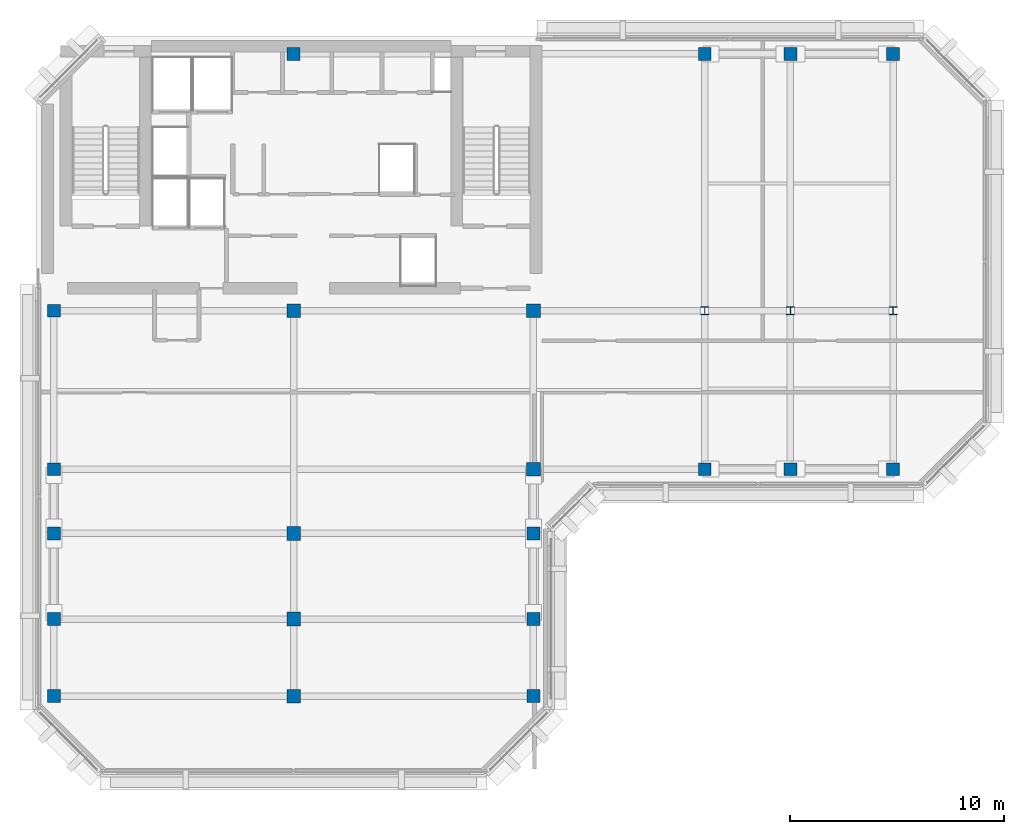
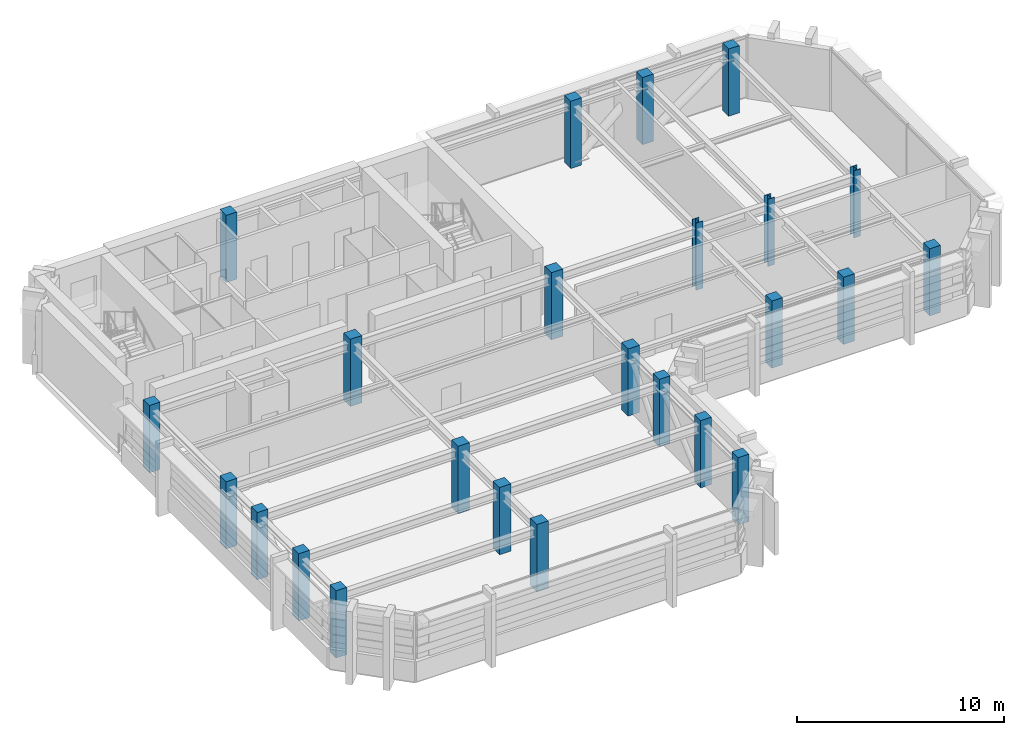
# One storey, part 1 of 9: 24 columns.
"""IFC4 building model written with IfcOpenShell, lengths in metres."""

from ifc_helpers import new_model, si_unit, direction, frame, origin, origin_2d, place, context, subcontext, project, spatial, rectangle, i_section, extrude, material, material_profile, profile_set, type_object, element, save


model = new_model("IFC4")

# Units and contexts
model_context = context("Model", 3, precision=1e-05, world=origin(), true_north=direction((0.0, 1.0)))
body_context = subcontext(model_context, "Body", "Model", "MODEL_VIEW")
ifc_project = project(units=[si_unit("LENGTHUNIT", "METRE"), si_unit("AREAUNIT", "SQUARE_METRE"), si_unit("VOLUMEUNIT", "CUBIC_METRE"), si_unit("PLANEANGLEUNIT", "RADIAN"), si_unit("MASSUNIT", "GRAM", prefix="KILO")], contexts=[model_context])

# Site, building, storey
site_placement = place(None, origin())
site = spatial("IfcSite", under=ifc_project, at=site_placement, CompositionType="ELEMENT")
building_placement = place(site_placement, origin())
building = spatial("IfcBuilding", under=site, at=building_placement, Name="Kefirva Bronze Tower", CompositionType="ELEMENT")
storey_placement = place(building_placement, frame((0.0, 0.0, 365.969970703125)))
storey = spatial("IfcBuildingStorey", under=building, at=storey_placement, Name="L89", CompositionType="ELEMENT", Elevation=365.969970703125)

# Columns
ifc_material_1 = material(Name="Concrete C50/60", Category="concrete")
ifc_material_profile_1 = material_profile(ifc_material_1, rectangle(XDim=0.60009765625, YDim=0.60009765625, at=origin_2d()), Name="RC 600x600")
ifc_profile_set_1 = profile_set([ifc_material_profile_1], Name="Concrete C50/60")
column_type_1 = type_object("IfcColumnType", Name="RC Column 600x600 Ext", PredefinedType="COLUMN", material=ifc_profile_set_1)
for number, where, z_axis, x_axis, name in (
    (1, (0.800048828125, 15.199951171875, 0.0), (0.0, 0.0, 1.0), (1.0, 0.0, 0.0), "L89 Column C008_152"),
    (2, (0.800048828125, 18.800048828125, 0.0), (0.0, 0.0, 1.0), (1.0, 0.0, 0.0), "L89 Column C008_188"),
    (3, (0.800048828125, 22.800048828125, 0.0), (0.0, 0.0, 1.0), (1.0, 0.0, 0.0), "L89 Column C008_228"),
    (4, (0.800048828125, 25.800048828125, 0.0), (0.0, 0.0, 1.0), (1.0, 0.0, 0.0), "L89 Column C008_258"),
    (5, (0.800048828125, 33.199951171875, 0.0), (0.0, 0.0, 1.0), (1.0, 0.0, 0.0), "L89 Column C008_332"),
    (6, (12.0, 45.199951171875, 0.0), (0.0, 0.0, 1.0), (1.0, 0.0, 0.0), "L89 Column C120_452"),
    (7, (23.199951171875, 15.199951171875, 0.0), (0.0, 0.0, 1.0), (1.0, 0.0, 0.0), "L89 Column C232_152"),
    (8, (23.199951171875, 18.800048828125, 0.0), (0.0, 0.0, 1.0), (1.0, 0.0, 0.0), "L89 Column C232_188"),
    (9, (23.199951171875, 22.800048828125, 0.0), (0.0, 0.0, 1.0), (1.0, 0.0, 0.0), "L89 Column C232_228"),
    (10, (31.199951171875, 25.800048828125, 0.0), (0.0, 0.0, 1.0), (1.0, 0.0, 0.0), "L89 Column C312_258"),
    (11, (31.199951171875, 45.199951171875, 0.0), (0.0, 0.0, 1.0), (1.0, 0.0, 0.0), "L89 Column C312_452"),
    (12, (35.199951171875, 25.800048828125, 0.0), (0.0, 0.0, 1.0), (1.0, 0.0, 0.0), "L89 Column C352_258"),
    (13, (35.199951171875, 45.199951171875, 0.0), (0.0, 0.0, 1.0), (1.0, 0.0, 0.0), "L89 Column C352_452"),
    (14, (40.0, 25.800048828125, 0.0), (0.0, 0.0, 1.0), (1.0, 0.0, 0.0), "L89 Column C400_258"),
    (15, (40.0, 45.199951171875, 0.0), (0.0, 0.0, 1.0), (1.0, 0.0, 0.0), "L89 Column C400_452"),
):
    element("IfcColumn", number, at=place(storey_placement, frame(where, z_axis=z_axis, x_axis=x_axis)), inside=storey, type_object=column_type_1, Name=name, PredefinedType="COLUMN", context=body_context, shape_type="SweptSolid", body=[
        extrude(rectangle(XDim=0.60009765625, YDim=0.60009765625, at=origin_2d()), origin(), (0.0, 0.0, 1.0), 3.9599609375),
    ])
ifc_material_profile_2 = material_profile(ifc_material_1, rectangle(XDim=0.639892578125, YDim=0.639892578125, at=origin_2d()), Name="RC 640x640")
ifc_profile_set_2 = profile_set([ifc_material_profile_2], Name="Concrete C50/60")
column_type_2 = type_object("IfcColumnType", Name="RC Column 640x640 Int", PredefinedType="COLUMN", material=ifc_profile_set_2)
for number, where, z_axis, x_axis, name in (
    (16, (12.0, 15.199951171875, 0.0), (0.0, 0.0, 1.0), (1.0, 0.0, 0.0), "L89 Column C120_152"),
    (17, (12.0, 18.800048828125, 0.0), (0.0, 0.0, 1.0), (1.0, 0.0, 0.0), "L89 Column C120_188"),
    (18, (12.0, 22.800048828125, 0.0), (0.0, 0.0, 1.0), (1.0, 0.0, 0.0), "L89 Column C120_228"),
    (19, (12.0, 33.199951171875, 0.0), (0.0, 0.0, 1.0), (1.0, 0.0, 0.0), "L89 Column C120_332"),
    (20, (23.199951171875, 25.800048828125, 0.0), (0.0, 0.0, 1.0), (1.0, 0.0, 0.0), "L89 Column C232_258"),
    (21, (23.199951171875, 33.199951171875, 0.0), (0.0, 0.0, 1.0), (1.0, 0.0, 0.0), "L89 Column C232_332"),
):
    element("IfcColumn", number, at=place(storey_placement, frame(where, z_axis=z_axis, x_axis=x_axis)), inside=storey, type_object=column_type_2, Name=name, PredefinedType="COLUMN", context=body_context, shape_type="SweptSolid", body=[
        extrude(rectangle(XDim=0.639892578125, YDim=0.639892578125, at=origin_2d()), origin(), (0.0, 0.0, 1.0), 3.9599609375),
    ])
ifc_material_2 = material(Name="Steel S460", Category="steel")
ifc_material_profile_3 = material_profile(ifc_material_2, i_section(OverallWidth=0.376953125, OverallDepth=0.386962890625, WebThickness=0.01611328125, FlangeThickness=0.027099609375, at=origin_2d()), Name="HD 360x262")
ifc_profile_set_3 = profile_set([ifc_material_profile_3], Name="Steel S460")
column_type_3 = type_object("IfcColumnType", Name="Steel Column HD 360x262", PredefinedType="COLUMN", material=ifc_profile_set_3)
for number, where, z_axis, x_axis, name in (
    (22, (31.199951171875, 33.199951171875, 0.0), (0.0, 0.0, 1.0), (1.0, 0.0, 0.0), "L89 Column C312_332"),
    (23, (35.199951171875, 33.199951171875, 0.0), (0.0, 0.0, 1.0), (1.0, 0.0, 0.0), "L89 Column C352_332"),
    (24, (40.0, 33.199951171875, 0.0), (0.0, 0.0, 1.0), (1.0, 0.0, 0.0), "L89 Column C400_332"),
):
    element("IfcColumn", number, at=place(storey_placement, frame(where, z_axis=z_axis, x_axis=x_axis)), inside=storey, type_object=column_type_3, Name=name, PredefinedType="COLUMN", context=body_context, shape_type="SweptSolid", body=[
        extrude(i_section(OverallWidth=0.376953125, OverallDepth=0.386962890625, WebThickness=0.01611328125, FlangeThickness=0.027099609375, at=origin_2d()), origin(), (0.0, 0.0, 1.0), 3.9599609375),
    ])

save(model, "model.ifc")
